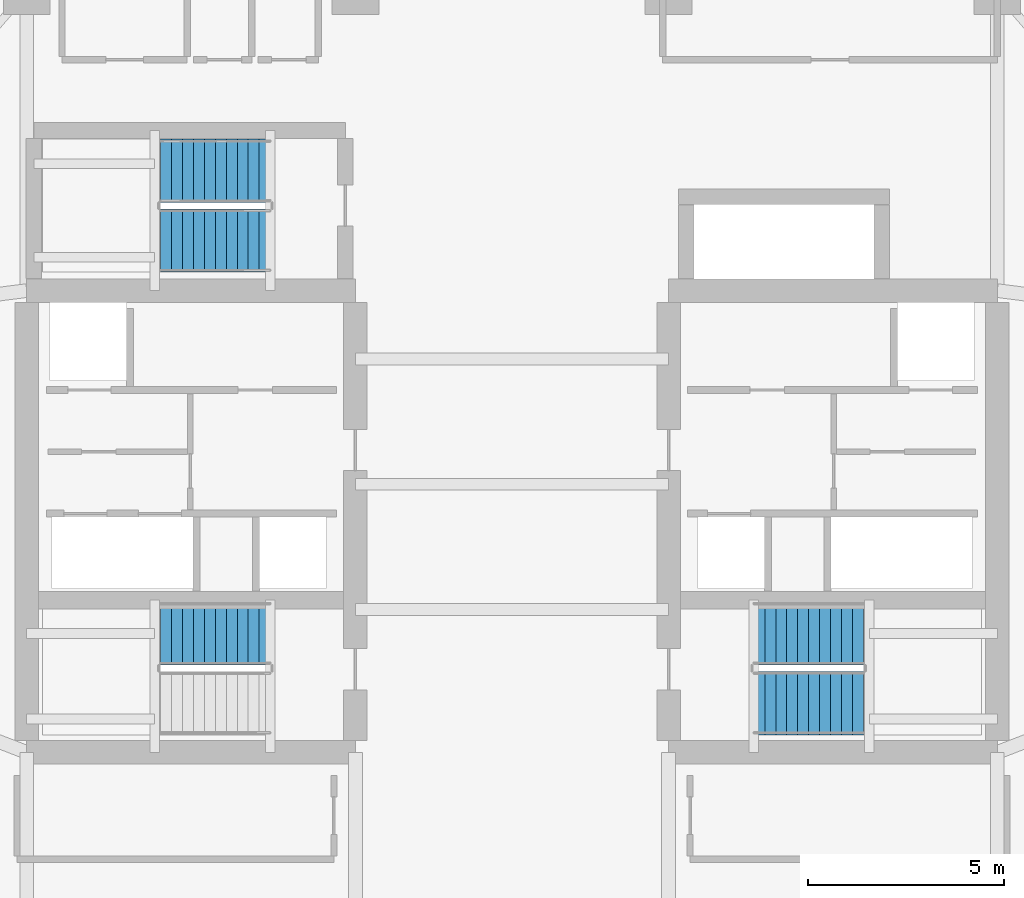
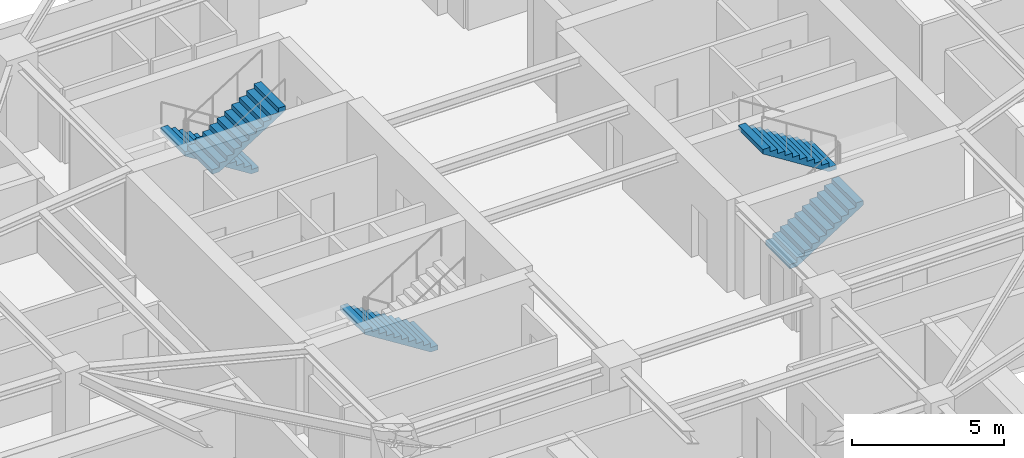
# One storey, part 8 of 13: 5 stair flights, 3 elements without a shape of their own.
"""IFC4 building model written with IfcOpenShell, lengths in metres."""

from ifc_helpers import new_model, si_unit, direction, frame, origin, place, context, subcontext, project, spatial, polyline, outline, extrude, material, layer, layer_set, type_object, element, aggregate, save


model = new_model("IFC4")

# Units and contexts
model_context = context("Model", 3, precision=1e-05, world=origin(), true_north=direction((0.0, 1.0)))
body_context = subcontext(model_context, "Body", "Model", "MODEL_VIEW")
ifc_project = project(units=[si_unit("LENGTHUNIT", "METRE"), si_unit("AREAUNIT", "SQUARE_METRE"), si_unit("VOLUMEUNIT", "CUBIC_METRE"), si_unit("PLANEANGLEUNIT", "RADIAN"), si_unit("MASSUNIT", "GRAM", prefix="KILO")], contexts=[model_context])

# Site, building, storey
site_placement = place(None, origin())
site = spatial("IfcSite", under=ifc_project, at=site_placement, CompositionType="ELEMENT")
building_placement = place(site_placement, origin())
building = spatial("IfcBuilding", under=site, at=building_placement, Name="Qingluan Cross Belvedere", CompositionType="ELEMENT")
storey_placement = place(building_placement, frame((0.0, 0.0, 180.0)))
storey = spatial("IfcBuildingStorey", under=building, at=storey_placement, Name="L45", CompositionType="ELEMENT", Elevation=180.0)

# Stair, stair flight
ifc_material_1 = material(Name="Concrete C40", Category="concrete")
stair_type = type_object("IfcStairType", Name="CoreDoglegStair_1620", PredefinedType="HALF_TURN_STAIR", material=ifc_material_1)
stair_1_placement = place(storey_placement, origin())
stair_1 = element("IfcStair", 1, at=stair_1_placement, inside=storey, type_object=stair_type, Name="L45 ST1", PredefinedType="HALF_TURN_STAIR")
ifc_material_2 = material(Name="Concrete C40", Category="concrete")
ifc_layer = layer(ifc_material_2, 0.179931640625, Name="StairFlight_RC180")
ifc_layer_set = layer_set([ifc_layer], Name="Concrete C40")
stair_flight_type = type_object("IfcStairFlightType", Name="StairFlight_RC180", PredefinedType="STRAIGHT", material=ifc_layer_set)
stair_flight_1_placement = place(storey_placement, frame((-6.179931640625, -3.81005859375, 0.0), z_axis=(0.0, 0.0, 1.0), x_axis=(-1.0, 0.0, 0.0)))
stair_flight_1 = element("IfcStairFlight", 2, at=stair_flight_1_placement, type_object=stair_flight_type, Name="ST1 flight 1", NumberOfRisers=11, NumberOfTreads=10, PredefinedType="STRAIGHT", RiserHeight=0.177272727, TreadLength=0.28, context=body_context, shape_type="SweptSolid", body=[
    extrude(outline(polyline([(0.0, 0.0), (0.0, 0.17724609375), (0.280029296875, 0.17724609375), (0.280029296875, 0.3544921875), (0.56005859375, 0.3544921875), (0.56005859375, 0.53173828125), (0.840087890625, 0.53173828125), (0.840087890625, 0.708984375), (1.1201171875, 0.708984375), (1.1201171875, 0.886474609375), (1.39990234375, 0.886474609375), (1.39990234375, 1.063720703125), (1.679931640625, 1.063720703125), (1.679931640625, 1.240966796875), (1.9599609375, 1.240966796875), (1.9599609375, 1.418212890625), (2.239990234375, 1.418212890625), (2.239990234375, 1.595458984375), (2.52001953125, 1.595458984375), (2.52001953125, 1.772705078125), (2.800048828125, 1.772705078125), (2.800048828125, 1.949951171875), (2.800048828125, 1.59521484375), (0.2802734375, 0.0), (0.0, 0.0)])), frame((0.0, 0.81005859375, 0.0), z_axis=(0.0, -1.0, 0.0), x_axis=(1.0, 0.0, 0.0)), (0.0, 0.0, 1.0), 1.6201171875),
])
aggregate(stair_1, [stair_flight_1])

# Stair, stair flights
stair_2_placement = place(storey_placement, origin())
stair_2 = element("IfcStair", 3, at=stair_2_placement, inside=storey, type_object=stair_type, Name="L45 ST2", PredefinedType="HALF_TURN_STAIR")
stair_flight_2_placement = place(storey_placement, frame((6.179931640625, -5.590087890625, 0.0), z_axis=(0.0, 0.0, 1.0), x_axis=(1.0, 0.0, 0.0)))
stair_flight_2 = element("IfcStairFlight", 4, at=stair_flight_2_placement, type_object=stair_flight_type, Name="ST2 flight 1", NumberOfRisers=11, NumberOfTreads=10, PredefinedType="STRAIGHT", RiserHeight=0.177272727, TreadLength=0.28, context=body_context, shape_type="SweptSolid", body=[
    extrude(outline(polyline([(0.0, 0.0), (0.0, 0.17724609375), (0.280029296875, 0.17724609375), (0.280029296875, 0.3544921875), (0.56005859375, 0.3544921875), (0.56005859375, 0.53173828125), (0.840087890625, 0.53173828125), (0.840087890625, 0.708984375), (1.1201171875, 0.708984375), (1.1201171875, 0.886474609375), (1.39990234375, 0.886474609375), (1.39990234375, 1.063720703125), (1.679931640625, 1.063720703125), (1.679931640625, 1.240966796875), (1.9599609375, 1.240966796875), (1.9599609375, 1.418212890625), (2.239990234375, 1.418212890625), (2.239990234375, 1.595458984375), (2.52001953125, 1.595458984375), (2.52001953125, 1.772705078125), (2.800048828125, 1.772705078125), (2.800048828125, 1.949951171875), (2.800048828125, 1.59521484375), (0.2802734375, 0.0), (0.0, 0.0)])), frame((0.0, 0.81005859375, 0.0), z_axis=(0.0, -1.0, 0.0), x_axis=(1.0, 0.0, 0.0)), (0.0, 0.0, 1.0), 1.6201171875),
])
stair_flight_3_placement = place(storey_placement, frame((8.97998046875, -3.81005859375, 1.949951171875), z_axis=(0.0, 0.0, 1.0), x_axis=(-1.0, 0.0, 0.0)))
stair_flight_3 = element("IfcStairFlight", 5, at=stair_flight_3_placement, type_object=stair_flight_type, Name="ST2 flight 2", NumberOfRisers=11, NumberOfTreads=10, PredefinedType="STRAIGHT", RiserHeight=0.177272727, TreadLength=0.28, context=body_context, shape_type="SweptSolid", body=[
    extrude(outline(polyline([(0.0, 0.0), (0.0, 0.17724609375), (0.280029296875, 0.17724609375), (0.280029296875, 0.3544921875), (0.56005859375, 0.3544921875), (0.56005859375, 0.53173828125), (0.840087890625, 0.53173828125), (0.840087890625, 0.708984375), (1.1201171875, 0.708984375), (1.1201171875, 0.886474609375), (1.39990234375, 0.886474609375), (1.39990234375, 1.063720703125), (1.679931640625, 1.063720703125), (1.679931640625, 1.240966796875), (1.9599609375, 1.240966796875), (1.9599609375, 1.418212890625), (2.239990234375, 1.418212890625), (2.239990234375, 1.595458984375), (2.52001953125, 1.595458984375), (2.52001953125, 1.772705078125), (2.800048828125, 1.772705078125), (2.800048828125, 1.949951171875), (2.800048828125, 1.59521484375), (0.2802734375, 0.0), (0.0, 0.0)])), frame((0.0, 0.81005859375, 0.0), z_axis=(0.0, -1.0, 0.0), x_axis=(1.0, 0.0, 0.0)), (0.0, 0.0, 1.0), 1.6201171875),
])
aggregate(stair_2, [stair_flight_2, stair_flight_3])

stair_3_placement = place(storey_placement, origin())
stair_3 = element("IfcStair", 6, at=stair_3_placement, inside=storey, type_object=stair_type, Name="L45 ST3", PredefinedType="HALF_TURN_STAIR")
stair_flight_4_placement = place(storey_placement, frame((-6.179931640625, 8.010009765625, 0.0), z_axis=(0.0, 0.0, 1.0), x_axis=(-1.0, 0.0, 0.0)))
stair_flight_4 = element("IfcStairFlight", 7, at=stair_flight_4_placement, type_object=stair_flight_type, Name="ST3 flight 1", NumberOfRisers=11, NumberOfTreads=10, PredefinedType="STRAIGHT", RiserHeight=0.177272727, TreadLength=0.28, context=body_context, shape_type="SweptSolid", body=[
    extrude(outline(polyline([(0.0, 0.0), (0.0, 0.17724609375), (0.280029296875, 0.17724609375), (0.280029296875, 0.3544921875), (0.56005859375, 0.3544921875), (0.56005859375, 0.53173828125), (0.840087890625, 0.53173828125), (0.840087890625, 0.708984375), (1.1201171875, 0.708984375), (1.1201171875, 0.886474609375), (1.39990234375, 0.886474609375), (1.39990234375, 1.063720703125), (1.679931640625, 1.063720703125), (1.679931640625, 1.240966796875), (1.9599609375, 1.240966796875), (1.9599609375, 1.418212890625), (2.239990234375, 1.418212890625), (2.239990234375, 1.595458984375), (2.52001953125, 1.595458984375), (2.52001953125, 1.772705078125), (2.800048828125, 1.772705078125), (2.800048828125, 1.949951171875), (2.800048828125, 1.59521484375), (0.2802734375, 0.0), (0.0, 0.0)])), frame((0.0, 0.81005859375, 0.0), z_axis=(0.0, -1.0, 0.0), x_axis=(1.0, 0.0, 0.0)), (0.0, 0.0, 1.0), 1.6201171875),
])
stair_flight_5_placement = place(storey_placement, frame((-8.97998046875, 6.22998046875, 1.949951171875), z_axis=(0.0, 0.0, 1.0), x_axis=(1.0, 0.0, 0.0)))
stair_flight_5 = element("IfcStairFlight", 8, at=stair_flight_5_placement, type_object=stair_flight_type, Name="ST3 flight 2", NumberOfRisers=11, NumberOfTreads=10, PredefinedType="STRAIGHT", RiserHeight=0.177272727, TreadLength=0.28, context=body_context, shape_type="SweptSolid", body=[
    extrude(outline(polyline([(0.0, 0.0), (0.0, 0.17724609375), (0.280029296875, 0.17724609375), (0.280029296875, 0.3544921875), (0.56005859375, 0.3544921875), (0.56005859375, 0.53173828125), (0.840087890625, 0.53173828125), (0.840087890625, 0.708984375), (1.1201171875, 0.708984375), (1.1201171875, 0.886474609375), (1.39990234375, 0.886474609375), (1.39990234375, 1.063720703125), (1.679931640625, 1.063720703125), (1.679931640625, 1.240966796875), (1.9599609375, 1.240966796875), (1.9599609375, 1.418212890625), (2.239990234375, 1.418212890625), (2.239990234375, 1.595458984375), (2.52001953125, 1.595458984375), (2.52001953125, 1.772705078125), (2.800048828125, 1.772705078125), (2.800048828125, 1.949951171875), (2.800048828125, 1.59521484375), (0.2802734375, 0.0), (0.0, 0.0)])), frame((0.0, 0.81005859375, 0.0), z_axis=(0.0, -1.0, 0.0), x_axis=(1.0, 0.0, 0.0)), (0.0, 0.0, 1.0), 1.6201171875),
])
aggregate(stair_3, [stair_flight_4, stair_flight_5])

save(model, "model.ifc")
